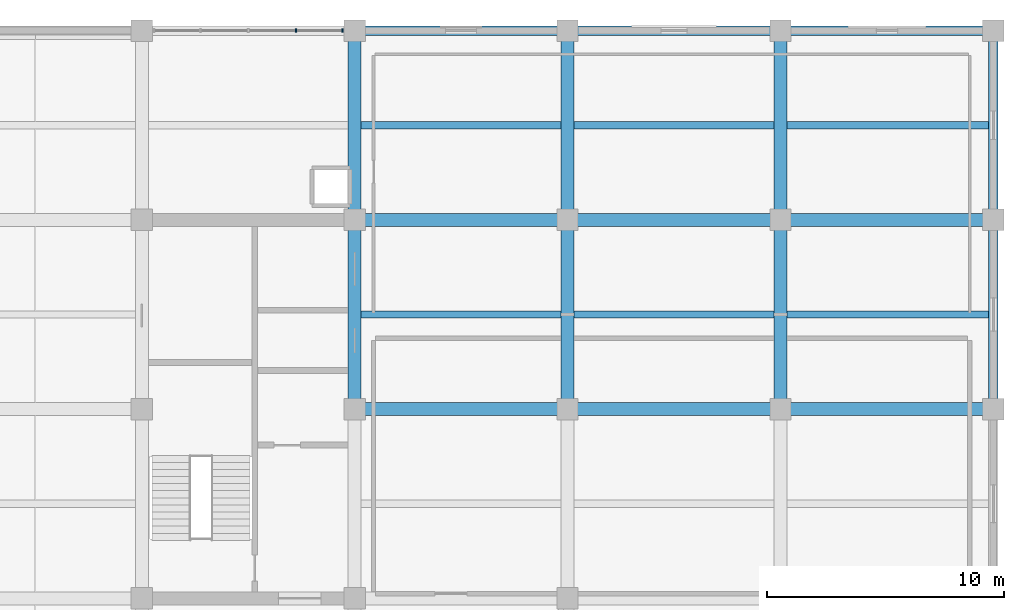
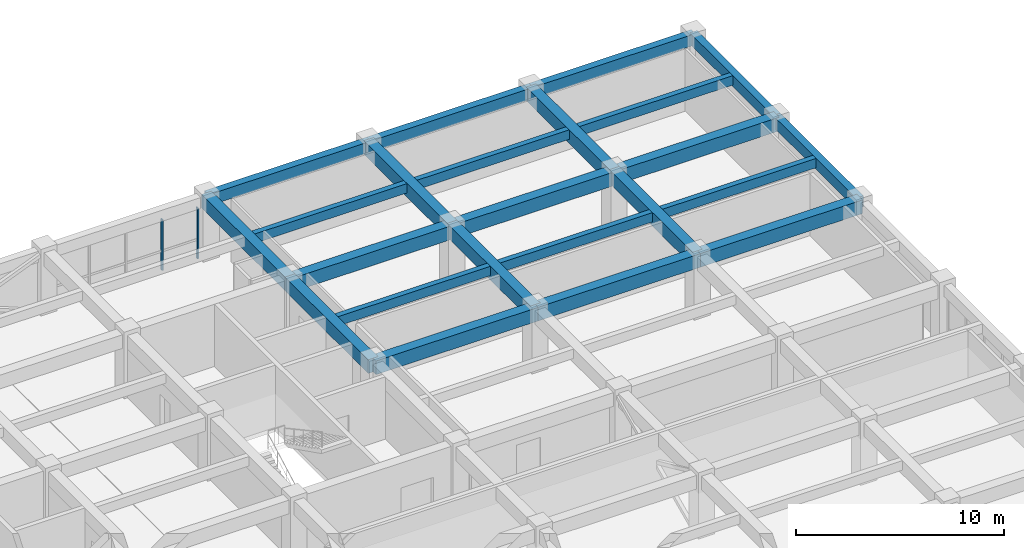
# One storey, part 10 of 16: 23 beams, 2 members, 1 element without a shape of its own.
"""IFC4 building model written with IfcOpenShell, lengths in metres."""

from ifc_helpers import new_model, si_unit, direction, frame, origin, origin_2d, place, context, subcontext, project, spatial, rectangle, extrude, material, material_profile, profile_set, type_object, element, aggregate, save


model = new_model("IFC4")

# Units and contexts
model_context = context("Model", 3, precision=1e-05, world=origin(), true_north=direction((0.0, 1.0)))
body_context = subcontext(model_context, "Body", "Model", "MODEL_VIEW")
ifc_project = project(units=[si_unit("LENGTHUNIT", "METRE"), si_unit("AREAUNIT", "SQUARE_METRE"), si_unit("VOLUMEUNIT", "CUBIC_METRE"), si_unit("PLANEANGLEUNIT", "RADIAN"), si_unit("MASSUNIT", "GRAM", prefix="KILO")], contexts=[model_context])

# Site, building, storey
site_placement = place(None, origin())
site = spatial("IfcSite", under=ifc_project, at=site_placement, CompositionType="ELEMENT")
building_placement = place(site_placement, origin())
building = spatial("IfcBuilding", under=site, at=building_placement, Name="Zaverband Oceanarium and Marine Research Institute", CompositionType="ELEMENT")
storey_placement = place(building_placement, frame((0.0, 0.0, 29.699951171875)))
storey = spatial("IfcBuildingStorey", under=building, at=storey_placement, Name="L07", CompositionType="ELEMENT", Elevation=29.699951171875)

# Beams
ifc_material_1 = material(Name="Concrete C40/50", Category="concrete")
ifc_material_profile_1 = material_profile(ifc_material_1, rectangle(XDim=0.550048828125, YDim=0.800048828125, at=origin_2d()), Name="RC550x800")
ifc_profile_set_1 = profile_set([ifc_material_profile_1], Name="Concrete C40/50")
beam_type_1 = type_object("IfcBeamType", Name="BM-550x800", PredefinedType="BEAM", material=ifc_profile_set_1)
for number, where, z_axis, x_axis, name in (
    (1, (45.0, 96.0, 3.25), (1.0, 0.0, 0.0), (0.0, 1.0, 0.0), "Primary floor girder BM-550x800"),
    (2, (54.0, 96.0, 3.25), (1.0, 0.0, 0.0), (0.0, 1.0, 0.0), "Primary floor girder BM-550x800"),
    (3, (63.0, 96.0, 3.25), (1.0, 0.0, 0.0), (0.0, 1.0, 0.0), "Primary floor girder BM-550x800"),
    (4, (45.0, 104.0, 3.25), (1.0, 0.0, 0.0), (0.0, 1.0, 0.0), "Primary floor girder BM-550x800"),
    (5, (54.0, 104.0, 3.25), (1.0, 0.0, 0.0), (0.0, 1.0, 0.0), "Primary floor girder BM-550x800"),
    (6, (63.0, 104.0, 3.25), (1.0, 0.0, 0.0), (0.0, 1.0, 0.0), "Primary floor girder BM-550x800"),
):
    element("IfcBeam", number, at=place(storey_placement, frame(where, z_axis=z_axis, x_axis=x_axis)), inside=storey, type_object=beam_type_1, Name=name, PredefinedType="BEAM", context=body_context, shape_type="SweptSolid", body=[
        extrude(rectangle(XDim=0.550048828125, YDim=0.800048828125, at=origin_2d()), origin(), (0.0, 0.0, 1.0), 9.0),
    ])
for number, where, z_axis, x_axis, name in (
    (7, (45.0, 96.0, 3.25), (0.0, 1.0, 0.0), (-1.0, 0.0, 0.0), "Primary floor girder BM-550x800"),
    (8, (45.0, 104.0, 3.25), (0.0, 1.0, 0.0), (-1.0, 0.0, 0.0), "Primary floor girder BM-550x800"),
    (9, (54.0, 96.0, 3.25), (0.0, 1.0, 0.0), (-1.0, 0.0, 0.0), "Primary floor girder BM-550x800"),
    (10, (54.0, 104.0, 3.25), (0.0, 1.0, 0.0), (-1.0, 0.0, 0.0), "Primary floor girder BM-550x800"),
    (11, (63.0, 96.0, 3.25), (0.0, 1.0, 0.0), (-1.0, 0.0, 0.0), "Primary floor girder BM-550x800"),
    (12, (63.0, 104.0, 3.25), (0.0, 1.0, 0.0), (-1.0, 0.0, 0.0), "Primary floor girder BM-550x800"),
):
    element("IfcBeam", number, at=place(storey_placement, frame(where, z_axis=z_axis, x_axis=x_axis)), inside=storey, type_object=beam_type_1, Name=name, PredefinedType="BEAM", context=body_context, shape_type="SweptSolid", body=[
        extrude(rectangle(XDim=0.550048828125, YDim=0.800048828125, at=origin_2d()), origin(), (0.0, 0.0, 1.0), 8.0),
    ])
ifc_material_profile_2 = material_profile(ifc_material_1, rectangle(XDim=0.300048828125, YDim=0.550048828125, at=origin_2d()), Name="RC300x550")
ifc_profile_set_2 = profile_set([ifc_material_profile_2], Name="Concrete C40/50")
beam_type_2 = type_object("IfcBeamType", Name="JST-300x550", PredefinedType="JOIST", material=ifc_profile_set_2)
for number, where, z_axis, x_axis, name in (
    (13, (45.27490234375, 100.0, 3.375), (1.0, 0.0, 0.0), (0.0, 1.0, 0.0), "Secondary floor joist JST-300x550"),
    (14, (45.27490234375, 108.0, 3.375), (1.0, 0.0, 0.0), (0.0, 1.0, 0.0), "Secondary floor joist JST-300x550"),
    (15, (54.27490234375, 100.0, 3.375), (1.0, 0.0, 0.0), (0.0, 1.0, 0.0), "Secondary floor joist JST-300x550"),
    (16, (54.27490234375, 108.0, 3.375), (1.0, 0.0, 0.0), (0.0, 1.0, 0.0), "Secondary floor joist JST-300x550"),
):
    element("IfcBeam", number, at=place(storey_placement, frame(where, z_axis=z_axis, x_axis=x_axis)), inside=storey, type_object=beam_type_2, Name=name, PredefinedType="JOIST", context=body_context, shape_type="SweptSolid", body=[
        extrude(rectangle(XDim=0.300048828125, YDim=0.550048828125, at=origin_2d()), origin(), (0.0, 0.0, 1.0), 8.4501953125),
    ])
for number, where, z_axis, x_axis, name in (
    (17, (63.27490234375, 100.0, 3.375), (1.0, 0.0, 0.0), (0.0, 1.0, 0.0), "Secondary floor joist JST-300x550"),
    (18, (63.27490234375, 108.0, 3.375), (1.0, 0.0, 0.0), (0.0, 1.0, 0.0), "Secondary floor joist JST-300x550"),
):
    element("IfcBeam", number, at=place(storey_placement, frame(where, z_axis=z_axis, x_axis=x_axis)), inside=storey, type_object=beam_type_2, Name=name, PredefinedType="JOIST", context=body_context, shape_type="SweptSolid", body=[
        extrude(rectangle(XDim=0.300048828125, YDim=0.550048828125, at=origin_2d()), origin(), (0.0, 0.0, 1.0), 8.525146484375),
    ])

# Curtain wall, members
ifc_material_2 = material(Name="Thermally broken anodized aluminium and solar-control glass", Category="aluminium")
curtain_wall_type = type_object("IfcCurtainWallType", Name="CW-UNIT-1800", PredefinedType="NOTDEFINED", material=ifc_material_2)
curtain_wall_placement = place(storey_placement, origin())
curtain_wall = element("IfcCurtainWall", 19, at=curtain_wall_placement, inside=storey, type_object=curtain_wall_type, Name="Unitised glazed curtain wall CW-090", PredefinedType="NOTDEFINED")
ifc_material_3 = material(Name="Thermally broken anodized aluminium", Category="aluminium")
ifc_material_profile_3 = material_profile(ifc_material_3, rectangle(XDim=0.070068359375, YDim=0.14990234375, at=origin_2d()), Name="AL-MUL-70x150")
ifc_profile_set_3 = profile_set([ifc_material_profile_3], Name="Thermally broken anodized aluminium")
member_type = type_object("IfcMemberType", Name="MUL-70x150", PredefinedType="MULLION", material=ifc_profile_set_3)
member_1_placement = place(storey_placement, frame((42.5224609375, 112.0, 0.0), z_axis=(0.0, 0.0, 1.0), x_axis=(1.0, 0.0, 0.0)))
member_1 = element("IfcMember", 20, at=member_1_placement, type_object=member_type, Name="Curtain wall vertical mullion MUL-70x150", PredefinedType="MULLION", context=body_context, shape_type="SweptSolid", body=[
    extrude(rectangle(XDim=0.070068359375, YDim=0.14990234375, at=origin_2d()), origin(), (0.0, 0.0, 1.0), 2.97998046875),
])
member_2_placement = place(storey_placement, frame((44.485107421875, 112.0, 0.0), z_axis=(0.0, 0.0, 1.0), x_axis=(1.0, 0.0, 0.0)))
member_2 = element("IfcMember", 21, at=member_2_placement, type_object=member_type, Name="Curtain wall vertical mullion MUL-70x150", PredefinedType="MULLION", context=body_context, shape_type="SweptSolid", body=[
    extrude(rectangle(XDim=0.070068359375, YDim=0.14990234375, at=origin_2d()), origin(), (0.0, 0.0, 1.0), 2.97998046875),
])
aggregate(curtain_wall, [member_1, member_2])

# Beams
ifc_material_profile_4 = material_profile(ifc_material_1, rectangle(XDim=0.39990234375, YDim=0.64990234375, at=origin_2d()), Name="RC400x650")
ifc_profile_set_4 = profile_set([ifc_material_profile_4], Name="Concrete C40/50")
beam_type_3 = type_object("IfcBeamType", Name="SPN-400x650", PredefinedType="SPANDREL", material=ifc_profile_set_4)
for number, where, z_axis, x_axis, name in (
    (22, (45.0, 112.0, 3.324951171875), (1.0, 0.0, 0.0), (0.0, 1.0, 0.0), "Perimeter spandrel beam SPN-400x650"),
    (23, (54.0, 112.0, 3.324951171875), (1.0, 0.0, 0.0), (0.0, 1.0, 0.0), "Perimeter spandrel beam SPN-400x650"),
    (24, (63.0, 112.0, 3.324951171875), (1.0, 0.0, 0.0), (0.0, 1.0, 0.0), "Perimeter spandrel beam SPN-400x650"),
):
    element("IfcBeam", number, at=place(storey_placement, frame(where, z_axis=z_axis, x_axis=x_axis)), inside=storey, type_object=beam_type_3, Name=name, PredefinedType="SPANDREL", context=body_context, shape_type="SweptSolid", body=[
        extrude(rectangle(XDim=0.39990234375, YDim=0.64990234375, at=origin_2d()), origin(), (0.0, 0.0, 1.0), 9.0),
    ])
for number, where, z_axis, x_axis, name in (
    (25, (72.0, 96.0, 3.324951171875), (0.0, 1.0, 0.0), (-1.0, 0.0, 0.0), "Perimeter spandrel beam SPN-400x650"),
    (26, (72.0, 104.0, 3.324951171875), (0.0, 1.0, 0.0), (-1.0, 0.0, 0.0), "Perimeter spandrel beam SPN-400x650"),
):
    element("IfcBeam", number, at=place(storey_placement, frame(where, z_axis=z_axis, x_axis=x_axis)), inside=storey, type_object=beam_type_3, Name=name, PredefinedType="SPANDREL", context=body_context, shape_type="SweptSolid", body=[
        extrude(rectangle(XDim=0.39990234375, YDim=0.64990234375, at=origin_2d()), origin(), (0.0, 0.0, 1.0), 8.0),
    ])

save(model, "model.ifc")
